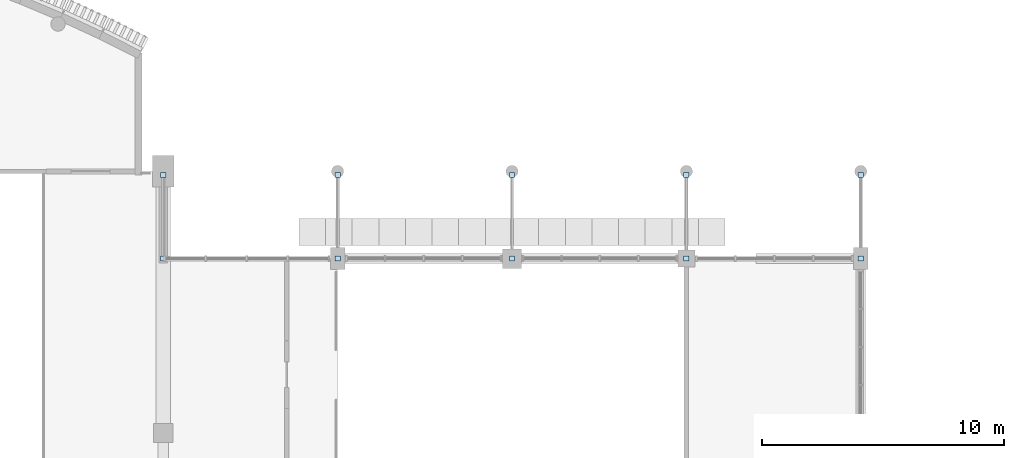
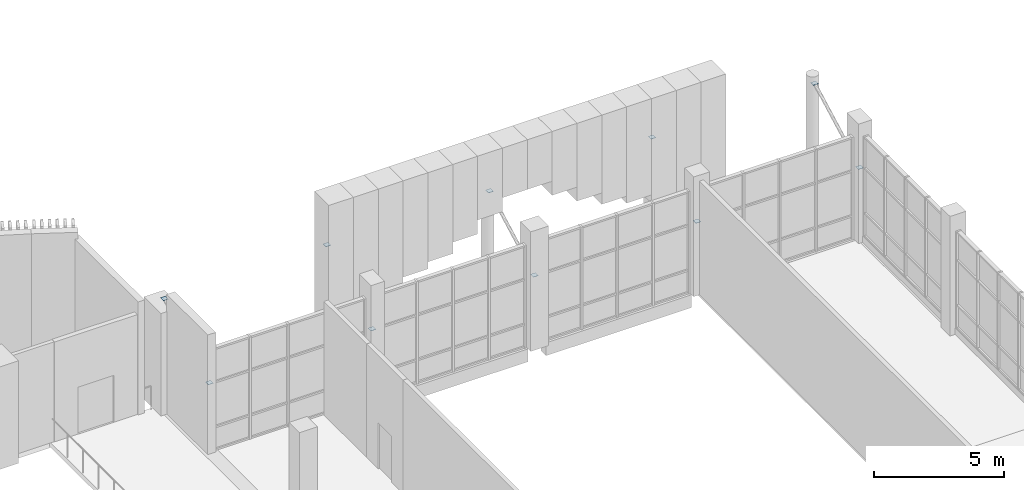
# One storey, part 48 of 80: 10 plates.
"""IFC4 building model written with IfcOpenShell, lengths in metres."""

from ifc_helpers import new_model, si_unit, direction, frame, origin, origin_2d, place, context, subcontext, project, spatial, rectangle, extrude, material, layer, layer_set, type_object, element, save


model = new_model("IFC4")

# Units and contexts
model_context = context("Model", 3, precision=1e-05, world=origin(), true_north=direction((0.0, 1.0)))
body_context = subcontext(model_context, "Body", "Model", "MODEL_VIEW")
ifc_project = project(units=[si_unit("LENGTHUNIT", "METRE"), si_unit("AREAUNIT", "SQUARE_METRE"), si_unit("VOLUMEUNIT", "CUBIC_METRE"), si_unit("PLANEANGLEUNIT", "RADIAN"), si_unit("MASSUNIT", "GRAM", prefix="KILO")], contexts=[model_context])

# Site, building, storey
site_placement = place(None, origin())
site = spatial("IfcSite", under=ifc_project, at=site_placement, CompositionType="ELEMENT")
building_placement = place(site_placement, origin())
building = spatial("IfcBuilding", under=site, at=building_placement, Name="Sardonyx Promenade Sports Hall", CompositionType="ELEMENT")
storey_placement = place(building_placement, frame((0.0, 0.0, 5.60009765625)))
storey = spatial("IfcBuildingStorey", under=building, at=storey_placement, Name="L01", CompositionType="ELEMENT", Elevation=5.60009765625)

# Plates
ifc_material = material(Name="Steel S355JR", Category="steel")
ifc_layer = layer(ifc_material, 0.011962890625)
ifc_layer_set = layer_set([ifc_layer], Name="Plt_EndCap_EC3")
plate_type = type_object("IfcPlateType", Name="Plt_EndCap_EC3", PredefinedType="USERDEFINED", material=ifc_layer_set)
for number, where, z_axis, x_axis, name in (
    (1, (79.199951171875, 100.800048828125, 3.19384765625), (0.0, 0.0, 1.0), (1.0, 0.0, 0.0), "Canopy strut end-cap #1B"),
    (2, (79.199951171875, 104.25, 5.0439453125), (0.0, 0.0, 1.0), (1.0, 0.0, 0.0), "Canopy strut end-cap #1T"),
    (3, (86.39990234375, 100.800048828125, 3.19384765625), (0.0, 0.0, 1.0), (1.0, 0.0, 0.0), "Canopy strut end-cap #2B"),
    (4, (86.39990234375, 104.25, 5.0439453125), (0.0, 0.0, 1.0), (1.0, 0.0, 0.0), "Canopy strut end-cap #2T"),
    (5, (93.60009765625, 100.800048828125, 3.19384765625), (0.0, 0.0, 1.0), (1.0, 0.0, 0.0), "Canopy strut end-cap #3B"),
    (6, (93.60009765625, 104.25, 5.0439453125), (0.0, 0.0, 1.0), (1.0, 0.0, 0.0), "Canopy strut end-cap #3T"),
    (7, (100.800048828125, 100.800048828125, 3.19384765625), (0.0, 0.0, 1.0), (1.0, 0.0, 0.0), "Canopy strut end-cap #4B"),
    (8, (100.800048828125, 104.25, 5.0439453125), (0.0, 0.0, 1.0), (1.0, 0.0, 0.0), "Canopy strut end-cap #4T"),
    (9, (108.0, 100.800048828125, 3.19384765625), (0.0, 0.0, 1.0), (1.0, 0.0, 0.0), "Canopy strut end-cap #5B"),
    (10, (108.0, 104.25, 5.0439453125), (0.0, 0.0, 1.0), (1.0, 0.0, 0.0), "Canopy strut end-cap #5T"),
):
    element("IfcPlate", number, at=place(storey_placement, frame(where, z_axis=z_axis, x_axis=x_axis)), inside=storey, type_object=plate_type, Name=name, ObjectType="END CAP PLATE", PredefinedType="USERDEFINED", context=body_context, shape_type="SweptSolid", body=[
        extrude(rectangle(XDim=0.219970703125, YDim=0.219970703125, at=origin_2d()), origin(), (0.0, 0.0, 1.0), 0.011962890625),
    ])

save(model, "model.ifc")
